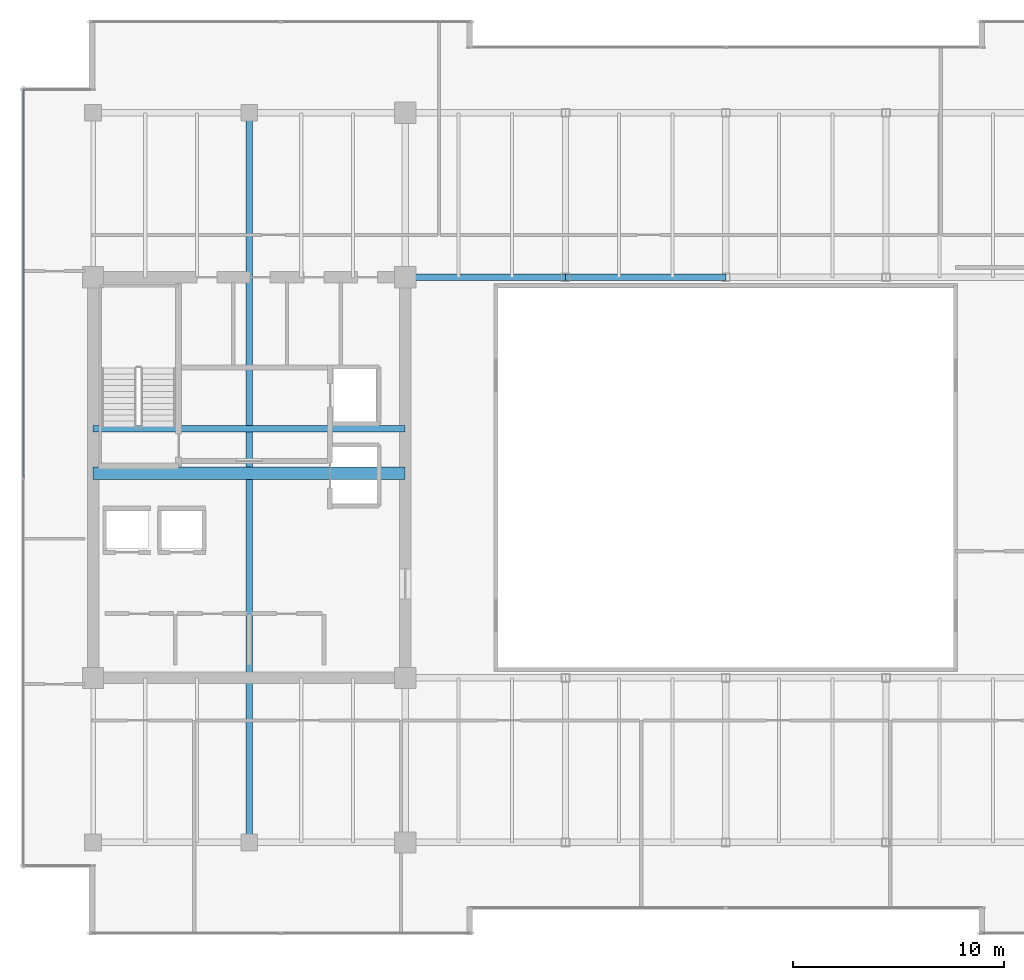
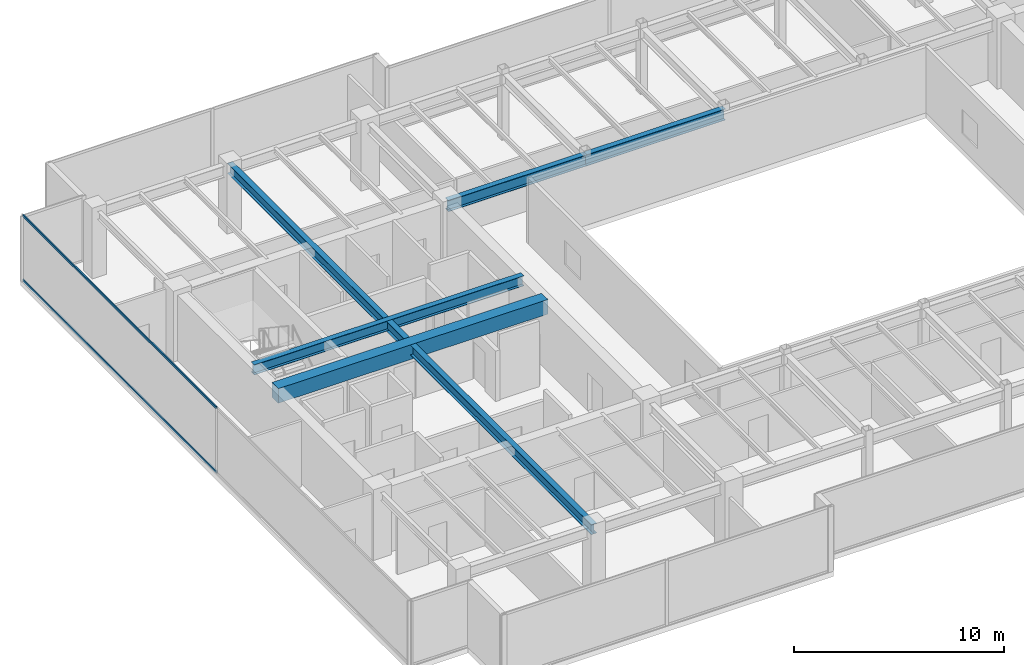
# One storey, part 10 of 33: 5 beams, 2 members, 1 element without a shape of its own.
"""IFC4 building model written with IfcOpenShell, lengths in metres."""

from ifc_helpers import new_model, si_unit, direction, frame, origin, origin_2d, place, context, subcontext, project, spatial, rectangle, hollow_rectangle, i_section, extrude, source, transform, mapped, material, layer, layer_set, material_profile, profile_set, type_object, type_shapes, element, aggregate, save


model = new_model("IFC4")

# Units and contexts
model_context = context("Model", 3, precision=1e-05, world=origin(), true_north=direction((0.0, 1.0)))
body_context = subcontext(model_context, "Body", "Model", "MODEL_VIEW")
ifc_project = project(units=[si_unit("LENGTHUNIT", "METRE"), si_unit("AREAUNIT", "SQUARE_METRE"), si_unit("VOLUMEUNIT", "CUBIC_METRE"), si_unit("PLANEANGLEUNIT", "RADIAN"), si_unit("MASSUNIT", "GRAM", prefix="KILO")], contexts=[model_context])

# Site, building, storey
site_placement = place(None, origin())
site = spatial("IfcSite", under=ifc_project, at=site_placement, CompositionType="ELEMENT")
building_placement = place(site_placement, origin())
building = spatial("IfcBuilding", under=site, at=building_placement, Name="Haelvirn Gate Laboratories", CompositionType="ELEMENT")
storey_placement = place(building_placement, frame((0.0, 0.0, 209.60009765625)))
storey = spatial("IfcBuildingStorey", under=building, at=storey_placement, Name="L50", CompositionType="ELEMENT", Elevation=209.60009765625)

# Beams
ifc_material_1 = material(Name="Steel SM355", Category="steel")
ifc_material_profile_1 = material_profile(ifc_material_1, i_section(OverallWidth=0.300048828125, OverallDepth=0.587890625, WebThickness=0.011962890625, FlangeThickness=0.02001953125, at=origin_2d()), Name="H-588x300x12x20")
ifc_profile_set_1 = profile_set([ifc_material_profile_1], Name="Steel SM355")
beam_type_1 = type_object("IfcBeamType", Name="BM-G-588", PredefinedType="BEAM", material=ifc_profile_set_1)
shared_shape_1 = source(origin(), body_context, "Body", "SweptSolid", [
    extrude(i_section(OverallWidth=0.300048828125, OverallDepth=0.587890625, WebThickness=0.011962890625, FlangeThickness=0.02001953125, at=origin_2d()), origin(), (0.0, 0.0, 1.0), 14.800048828125),
])
beam_1_placement = place(storey_placement, frame((7.39990234375, 26.6201171875, 3.505859375), z_axis=(1.0, 0.0, 0.0), x_axis=(0.0, 1.0, 0.0)))
element("IfcBeam", 1, at=beam_1_placement, inside=storey, type_object=beam_type_1, Name="L50 Stair ST1 Landing Header", PredefinedType="BEAM", context=body_context, shape_type="MappedRepresentation", body=[
    mapped(shared_shape_1, transform((0.0, 0.0, 0.0), scale=1.0)),
])
shared_shape_2 = source(origin(), body_context, "Body", "SweptSolid", [
    extrude(i_section(OverallWidth=0.300048828125, OverallDepth=0.587890625, WebThickness=0.011962890625, FlangeThickness=0.02001953125, at=origin_2d()), origin(), (0.0, 0.0, 1.0), 34.60009765625),
])
type_shapes(beam_type_1, [shared_shape_1, shared_shape_2])
beam_2_placement = place(storey_placement, frame((14.800048828125, 7.0, 3.505859375), z_axis=(0.0, 1.0, 0.0), x_axis=(-1.0, 0.0, 0.0)))
element("IfcBeam", 2, at=beam_2_placement, inside=storey, type_object=beam_type_1, Name="L50 Frame Girder X14.8 (7.0-41.6)", PredefinedType="BEAM", context=body_context, shape_type="MappedRepresentation", body=[
    mapped(shared_shape_2, transform((0.0, 0.0, 0.0), scale=1.0)),
])
ifc_material_2 = material(Name="Concrete C50/60", Category="concrete")
ifc_material_profile_2 = material_profile(ifc_material_2, rectangle(XDim=0.60009765625, YDim=0.85009765625, at=origin_2d()), Name="RCB-600x850")
ifc_profile_set_2 = profile_set([ifc_material_profile_2], Name="Concrete C50/60")
beam_type_2 = type_object("IfcBeamType", Name="BM-RCB-850", PredefinedType="LINTEL", material=ifc_profile_set_2)
shared_shape_3 = source(origin(), body_context, "Body", "SweptSolid", [
    extrude(rectangle(XDim=0.60009765625, YDim=0.85009765625, at=origin_2d()), origin(), (0.0, 0.0, 1.0), 14.800048828125),
])
type_shapes(beam_type_2, [shared_shape_3])
beam_3_placement = place(storey_placement, frame((7.39990234375, 24.5, 3.375), z_axis=(1.0, 0.0, 0.0), x_axis=(0.0, 1.0, 0.0)))
element("IfcBeam", 3, at=beam_3_placement, inside=storey, type_object=beam_type_2, Name="L50 West Core Coupling Beam", PredefinedType="LINTEL", context=body_context, shape_type="MappedRepresentation", body=[
    mapped(shared_shape_3, transform((0.0, 0.0, 0.0), scale=1.0)),
])
ifc_material_profile_3 = material_profile(ifc_material_1, i_section(OverallWidth=0.300048828125, OverallDepth=0.64990234375, WebThickness=0.012939453125, FlangeThickness=0.02197265625, at=origin_2d()), Name="H-650x300x13x22")
ifc_profile_set_3 = profile_set([ifc_material_profile_3], Name="Steel SM355")
beam_type_3 = type_object("IfcBeamType", Name="BM-G-650", PredefinedType="BEAM", material=ifc_profile_set_3)
shared_shape_4 = source(origin(), body_context, "Body", "SweptSolid", [
    extrude(i_section(OverallWidth=0.300048828125, OverallDepth=0.64990234375, WebThickness=0.012939453125, FlangeThickness=0.02197265625, at=origin_2d()), origin(), (0.0, 0.0, 1.0), 7.60009765625),
])
beam_4_placement = place(storey_placement, frame((22.199951171875, 33.800048828125, 3.474853515625), z_axis=(1.0, 0.0, 0.0), x_axis=(0.0, 1.0, 0.0)))
element("IfcBeam", 4, at=beam_4_placement, inside=storey, type_object=beam_type_3, Name="L50 Primary Girder Y33.8 (22.2-29.8)", PredefinedType="BEAM", context=body_context, shape_type="MappedRepresentation", body=[
    mapped(shared_shape_4, transform((0.0, 0.0, 0.0), scale=1.0)),
])
shared_shape_5 = source(origin(), body_context, "Body", "SweptSolid", [
    extrude(i_section(OverallWidth=0.300048828125, OverallDepth=0.64990234375, WebThickness=0.012939453125, FlangeThickness=0.02197265625, at=origin_2d()), origin(), (0.0, 0.0, 1.0), 7.599853515625),
])
type_shapes(beam_type_3, [shared_shape_4, shared_shape_5])
beam_5_placement = place(storey_placement, frame((29.800048828125, 33.800048828125, 3.474853515625), z_axis=(1.0, 0.0, 0.0), x_axis=(0.0, 1.0, 0.0)))
element("IfcBeam", 5, at=beam_5_placement, inside=storey, type_object=beam_type_3, Name="L50 Primary Girder Y33.8 (29.8-37.4)", PredefinedType="BEAM", context=body_context, shape_type="MappedRepresentation", body=[
    mapped(shared_shape_5, transform((0.0, 0.0, 0.0), scale=1.0)),
])

# Curtain wall, members
ifc_material_3 = material(Name="Anodised bronze unitised aluminium & triple low-E glass", Category="aluminium")
ifc_layer = layer(ifc_material_3, 0.176025390625, Name="CW-SYS-4")
ifc_layer_set = layer_set([ifc_layer], Name="Anodised bronze unitised aluminium & triple low-E glass")
curtain_wall_type = type_object("IfcCurtainWallType", Name="CW-SYS-4", PredefinedType="NOTDEFINED", material=ifc_layer_set)
curtain_wall_placement = place(storey_placement, origin())
curtain_wall = element("IfcCurtainWall", 6, at=curtain_wall_placement, inside=storey, type_object=curtain_wall_type, Name="L50 Unitised Curtain Wall CW-L50-P0-E17", PredefinedType="NOTDEFINED")
ifc_material_4 = material(Name="Extruded aluminium 6063-T6 (anodised bronze)", Category="aluminium")
ifc_material_profile_4 = material_profile(ifc_material_4, hollow_rectangle(XDim=0.06494140625, YDim=0.139892578125, WallThickness=0.00390625, at=origin_2d()), Name="CWT-140x65x4")
ifc_profile_set_4 = profile_set([ifc_material_profile_4], Name="Extruded aluminium 6063-T6 (anodised bronze)")
member_type = type_object("IfcMemberType", Name="CWT-T140", PredefinedType="USERDEFINED", material=ifc_profile_set_4)
shared_shape_6 = source(origin(), body_context, "Body", "SweptSolid", [
    extrude(hollow_rectangle(XDim=0.06494140625, YDim=0.139892578125, WallThickness=0.00390625, at=origin_2d()), origin(), (0.0, 0.0, 1.0), 18.39501953125),
])
type_shapes(member_type, [shared_shape_6])
member_1_placement = place(storey_placement, frame((4.10009765625, 42.72998046875, 0.032470703125), z_axis=(0.0, -1.0, 0.0), x_axis=(1.0, 0.0, 0.0)))
member_1 = element("IfcMember", 7, at=member_1_placement, type_object=member_type, Name="CW4 transom 1.1", ObjectType="TRANSOM", PredefinedType="USERDEFINED", context=body_context, shape_type="MappedRepresentation", body=[
    mapped(shared_shape_6, transform((0.0, 0.0, 0.0), scale=1.0)),
])
member_2_placement = place(storey_placement, frame((4.10009765625, 42.72998046875, 3.767333984375), z_axis=(0.0, -1.0, 0.0), x_axis=(1.0, 0.0, 0.0)))
member_2 = element("IfcMember", 8, at=member_2_placement, type_object=member_type, Name="CW4 transom 1.2", ObjectType="TRANSOM", PredefinedType="USERDEFINED", context=body_context, shape_type="MappedRepresentation", body=[
    mapped(shared_shape_6, transform((0.0, 0.0, 0.0), scale=1.0)),
])
aggregate(curtain_wall, [member_1, member_2])

save(model, "model.ifc")
